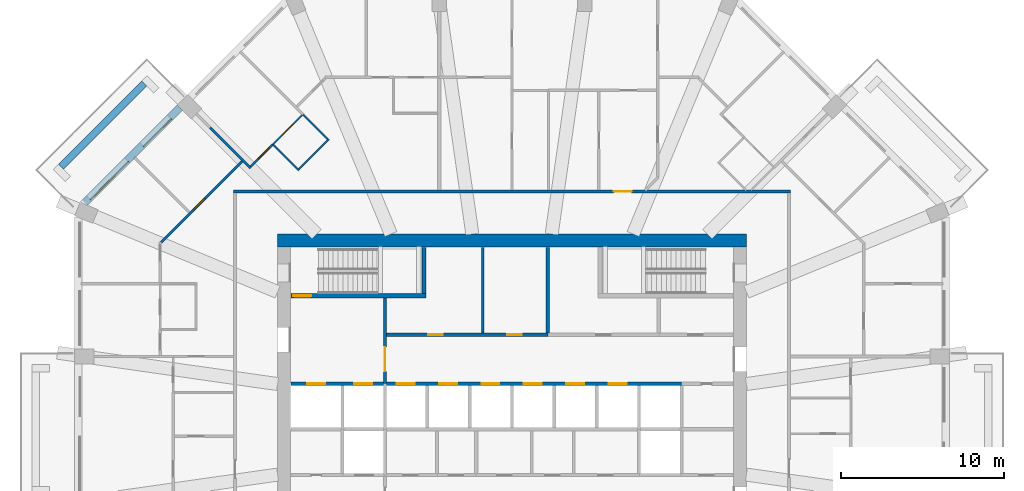
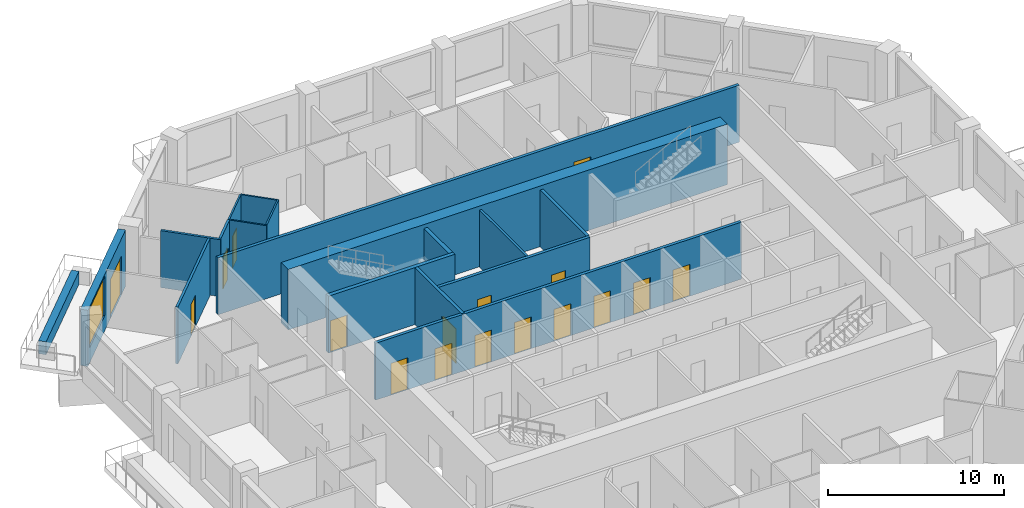
# One storey, part 8 of 13: 18 walls, 17 doors, 1 window, 18 openings.
"""IFC4 building model written with IfcOpenShell, lengths in metres."""

from ifc_helpers import new_model, si_unit, direction, frame, frame_2d, origin, place, context, subcontext, project, spatial, rectangle, extrude, material, layer, layer_set, type_object, element, fill, save


model = new_model("IFC4")

# Units and contexts
model_context = context("Model", 3, precision=1e-05, world=origin(), true_north=direction((0.0, 1.0)))
body_context = subcontext(model_context, "Body", "Model", "MODEL_VIEW")
ifc_project = project(units=[si_unit("LENGTHUNIT", "METRE"), si_unit("AREAUNIT", "SQUARE_METRE"), si_unit("VOLUMEUNIT", "CUBIC_METRE"), si_unit("PLANEANGLEUNIT", "RADIAN"), si_unit("MASSUNIT", "GRAM", prefix="KILO")], contexts=[model_context])

# Site, building, storey
site_placement = place(None, origin())
site = spatial("IfcSite", under=ifc_project, at=site_placement, CompositionType="ELEMENT")
building_placement = place(site_placement, origin())
building = spatial("IfcBuilding", under=site, at=building_placement, Name="Msitu Wima Residences", CompositionType="ELEMENT")
storey_placement = place(building_placement, frame((0.0, 0.0, 106.5)))
storey = spatial("IfcBuildingStorey", under=building, at=storey_placement, Name="L24", CompositionType="ELEMENT", Elevation=106.5)

# Wall
ifc_material_1 = material(Name="Facing brick")
ifc_layer_1 = layer(ifc_material_1, 0.06494140625, Name="Facing brick")
ifc_material_2 = material(Name="Concrete C40/50", Category="concrete")
ifc_layer_2 = layer(ifc_material_2, 0.156005859375, Name="Concrete C40/50")
ifc_material_3 = material(Name="Waterproofing membrane")
ifc_layer_3 = layer(ifc_material_3, 0.00390625, Name="Waterproofing membrane")
ifc_material_4 = material(Name="Planting soil and planting")
ifc_layer_4 = layer(ifc_material_4, 0.22509765625, Name="Planting soil and planting")
ifc_layer_set_1 = layer_set([ifc_layer_1, ifc_layer_2, ifc_layer_3, ifc_layer_4], Name="Concrete C40/50")
wall_type_1 = type_object("IfcWallType", Name="Balcony planter PLANTER PL450", PredefinedType="USERDEFINED", material=ifc_layer_set_1)
wall_1_placement = place(storey_placement, frame((-22.572265625, 21.228759765625, 0.0), z_axis=(0.0, 0.0, 1.0), x_axis=(-0.707106781187, -0.707106781187, 0.0)))
element("IfcWall", 1, at=wall_1_placement, inside=storey, type_object=wall_type_1, Name="Balcony planter NW1 L24", ObjectType="PLANTER", PredefinedType="USERDEFINED", context=body_context, shape_type="SweptSolid", body=[
    extrude(rectangle(XDim=7.23828125, YDim=0.449951171875, at=frame_2d((3.619140625, 0.0))), origin(), (0.0, 0.0, 1.0), 0.89990234375),
])

# Wall, openings, door, window
ifc_material_5 = material(Name="Brick (red buff mix)", Category="masonry")
ifc_layer_5 = layer(ifc_material_5, 0.449951171875)
ifc_layer_set_2 = layer_set([ifc_layer_5], Name="Brick (red buff mix)")
wall_type_2 = type_object("IfcWallType", Name="Brick infill wall BW450", PredefinedType="SOLIDWALL", material=ifc_layer_set_2)
wall_2_placement = place(storey_placement, frame((-20.380126953125, 19.743896484375, 0.0), z_axis=(0.0, 0.0, 1.0), x_axis=(-0.707106781187, -0.707106781187, 0.0)))
wall_2 = element("IfcWall", 2, at=wall_2_placement, inside=storey, type_object=wall_type_2, Name="Brick infill wall L24 NW1", PredefinedType="SOLIDWALL", context=body_context, shape_type="SweptSolid", body=[
    extrude(rectangle(XDim=8.251220703125, YDim=0.449951171875, at=frame_2d((4.12548828125, 0.0))), origin(), (0.0, 0.0, 1.0), 3.89990234375),
])
opening_1_placement = place(wall_2_placement, frame((0.86279296875, 0.0, 0.0)))
opening_1 = element("IfcOpeningElement", 3, at=opening_1_placement, cuts=wall_2, Name="Opening D24.005", PredefinedType="OPENING", context=body_context, shape_type="SweptSolid", body=[
    extrude(rectangle(XDim=2.39990234375, YDim=2.699951171875, at=frame_2d((1.199951171875, 1.35009765625))), frame((0.0, 0.23486328125, 0.0), z_axis=(0.0, -1.0, 0.0), x_axis=(1.0, 0.0, 0.0)), (0.0, 0.0, 1.0), 0.469970703125),
])
opening_2_placement = place(wall_2_placement, frame((4.57568359375, 0.0, 1.050048828125)))
opening_2 = element("IfcOpeningElement", 4, at=opening_2_placement, cuts=wall_2, Name="Opening W24.015", PredefinedType="OPENING", context=body_context, shape_type="SweptSolid", body=[
    extrude(rectangle(XDim=3.300048828125, YDim=2.699951171875, at=frame_2d((1.64990234375, 1.35009765625))), frame((0.0, 0.23486328125, 0.0), z_axis=(0.0, -1.0, 0.0), x_axis=(1.0, 0.0, 0.0)), (0.0, 0.0, 1.0), 0.469970703125),
])
ifc_material_6 = material(Name="Anodised aluminium, bronze finish, clear low-emissivity double glazing", Category="aluminium")
door_type_1 = type_object("IfcDoorType", Name="Balcony door D2400x2700", OperationType="SLIDING_TO_LEFT", PredefinedType="DOOR", material=ifc_material_6)
door_1_placement = place(opening_1_placement, origin())
door_1 = element("IfcDoor", 5, at=door_1_placement, inside=storey, type_object=door_type_1, Name="Balcony door L24 NW1", OperationType="SINGLE_SWING_LEFT", OverallHeight=2.699951171875, OverallWidth=2.39990234375, PredefinedType="DOOR", context=body_context, shape_type="SweptSolid", body=[
    extrude(rectangle(XDim=2.39990234375, YDim=2.699951171875, at=frame_2d((1.199951171875, 1.35009765625))), frame((0.0, 0.1298828125, 0.0), z_axis=(0.0, -1.0, 0.0), x_axis=(1.0, 0.0, 0.0)), (0.0, 0.0, 1.0), 0.050048828125),
])
fill(opening_1, door_1)
window_type = type_object("IfcWindowType", Name="Window W3300x2700", PartitioningType="DOUBLE_PANEL_VERTICAL", PredefinedType="WINDOW", material=ifc_material_6)
window_placement = place(opening_2_placement, origin())
window = element("IfcWindow", 6, at=window_placement, inside=storey, type_object=window_type, Name="Window L24 NW1.2", OverallHeight=2.699951171875, OverallWidth=3.300048828125, PartitioningType="SINGLE_PANEL", PredefinedType="WINDOW", context=body_context, shape_type="SweptSolid", body=[
    extrude(rectangle(XDim=3.300048828125, YDim=2.699951171875, at=frame_2d((1.64990234375, 1.35009765625))), frame((0.0, 0.135009765625, 0.0), z_axis=(0.0, -1.0, 0.0), x_axis=(1.0, 0.0, 0.0)), (0.0, 0.0, 1.0), 0.06005859375),
])
fill(opening_2, window)

# Wall
ifc_material_7 = material(Name="Concrete C70/85", Category="concrete")
ifc_layer_6 = layer(ifc_material_7, 0.800048828125)
ifc_layer_set_3 = layer_set([ifc_layer_6], Name="Concrete C70/85")
wall_type_3 = type_object("IfcWallType", Name="Core wall CW800 C70/85", PredefinedType="SHEAR", material=ifc_layer_set_3)
wall_3_placement = place(storey_placement, frame((-14.39990234375, 11.60009765625, 0.0), z_axis=(0.0, 0.0, 1.0), x_axis=(1.0, 0.0, 0.0)))
element("IfcWall", 7, at=wall_3_placement, inside=storey, type_object=wall_type_3, Name="Core wall", PredefinedType="SHEAR", context=body_context, shape_type="SweptSolid", body=[
    extrude(rectangle(XDim=28.7998046875, YDim=0.800048828125, at=frame_2d((14.39990234375, 0.0))), origin(), (0.0, 0.0, 1.0), 4.199951171875),
])

# Wall, opening, door
ifc_material_8 = material(Name="Plaster")
ifc_layer_7 = layer(ifc_material_8, 0.011962890625, Name="Plaster")
ifc_material_9 = material(Name="Concrete blockwork", Category="masonry")
ifc_layer_8 = layer(ifc_material_9, 0.176025390625, Name="Concrete blockwork")
ifc_layer_9 = layer(ifc_material_8, 0.011962890625, Name="Plaster")
ifc_layer_set_4 = layer_set([ifc_layer_7, ifc_layer_8, ifc_layer_9], Name="Concrete blockwork")
wall_type_4 = type_object("IfcWallType", Name="Corridor wall FW200", PredefinedType="PARTITIONING", material=ifc_layer_set_4)
wall_4_placement = place(storey_placement, frame((-17.10009765625, 14.60009765625, 0.0), z_axis=(0.0, 0.0, 1.0), x_axis=(1.0, 0.0, 0.0)))
wall_4 = element("IfcWall", 8, at=wall_4_placement, inside=storey, type_object=wall_type_4, Name="Corridor wall", PredefinedType="PARTITIONING", context=body_context, shape_type="SweptSolid", body=[
    extrude(rectangle(XDim=34.2001953125, YDim=0.199951171875, at=frame_2d((17.10009765625, 0.0))), origin(), (0.0, 0.0, 1.0), 3.949951171875),
])
opening_3_placement = place(wall_4_placement, frame((23.35009765625, 0.0, 0.0)))
opening_3 = element("IfcOpeningElement", 9, at=opening_3_placement, cuts=wall_4, Name="Opening D24.011", PredefinedType="OPENING", context=body_context, shape_type="SweptSolid", body=[
    extrude(rectangle(XDim=1.10009765625, YDim=2.39990234375, at=frame_2d((0.550048828125, 1.199951171875))), frame((0.0, 0.10986328125, 0.0), z_axis=(0.0, -1.0, 0.0), x_axis=(1.0, 0.0, 0.0)), (0.0, 0.0, 1.0), 0.219970703125),
])
ifc_material_10 = material(Name="Timber flush door, fire resisting, self-closing", Category="wood")
door_type_2 = type_object("IfcDoorType", Name="Flat entrance door D01 1100x2400", OperationType="SINGLE_SWING_LEFT", PredefinedType="DOOR", material=ifc_material_10)
door_2_placement = place(opening_3_placement, origin())
door_2 = element("IfcDoor", 10, at=door_2_placement, inside=storey, type_object=door_type_2, Name="Flat entrance door", OperationType="SINGLE_SWING_LEFT", OverallHeight=2.39990234375, OverallWidth=1.10009765625, PredefinedType="DOOR", context=body_context, shape_type="SweptSolid", body=[
    extrude(rectangle(XDim=1.10009765625, YDim=2.39990234375, at=frame_2d((0.550048828125, 1.199951171875))), frame((0.0, 0.02490234375, 0.0), z_axis=(0.0, -1.0, 0.0), x_axis=(1.0, 0.0, 0.0)), (0.0, 0.0, 1.0), 0.050048828125),
])
fill(opening_3, door_2)

wall_5_placement = place(storey_placement, frame((-7.800048828125, 2.800048828125, 0.0), z_axis=(0.0, 0.0, 1.0), x_axis=(0.0, 1.0, 0.0)))
wall_5 = element("IfcWall", 11, at=wall_5_placement, inside=storey, type_object=wall_type_4, Name="Corridor wall", PredefinedType="PARTITIONING", context=body_context, shape_type="SweptSolid", body=[
    extrude(rectangle(XDim=5.27490234375, YDim=0.199951171875, at=frame_2d((2.637451171875, 0.0))), origin(), (0.0, 0.0, 1.0), 3.949951171875),
])
opening_4_placement = place(wall_5_placement, frame((0.75, 0.0, 0.0)))
opening_4 = element("IfcOpeningElement", 12, at=opening_4_placement, cuts=wall_5, Name="Opening D24.017", PredefinedType="OPENING", context=body_context, shape_type="SweptSolid", body=[
    extrude(rectangle(XDim=1.5, YDim=2.39990234375, at=frame_2d((0.75, 1.199951171875))), frame((0.0, 0.10986328125, 0.0), z_axis=(0.0, -1.0, 0.0), x_axis=(1.0, 0.0, 0.0)), (0.0, 0.0, 1.0), 0.219970703125),
])
ifc_material_11 = material(Name="Steel framed glazed door, fire resisting", Category="steel")
door_type_3 = type_object("IfcDoorType", Name="Lobby door D07 1500x2400", OperationType="DOUBLE_DOOR_SINGLE_SWING", PredefinedType="DOOR", material=ifc_material_11)
door_3_placement = place(opening_4_placement, origin())
door_3 = element("IfcDoor", 13, at=door_3_placement, inside=storey, type_object=door_type_3, Name="Lobby door", OperationType="DOUBLE_DOOR_SINGLE_SWING", OverallHeight=2.39990234375, OverallWidth=1.5, PredefinedType="DOOR", context=body_context, shape_type="SweptSolid", body=[
    extrude(rectangle(XDim=1.5, YDim=2.39990234375, at=frame_2d((0.75, 1.199951171875))), frame((0.0, 0.02490234375, 0.0), z_axis=(0.0, -1.0, 0.0), x_axis=(1.0, 0.0, 0.0)), (0.0, 0.0, 1.0), 0.050048828125),
])
fill(opening_4, door_3)

# Wall, openings, doors
wall_6_placement = place(storey_placement, frame((-7.699951171875, 5.800048828125, 0.0), z_axis=(0.0, 0.0, 1.0), x_axis=(1.0, 0.0, 0.0)))
wall_6 = element("IfcWall", 14, at=wall_6_placement, inside=storey, type_object=wall_type_4, Name="Corridor wall", PredefinedType="PARTITIONING", context=body_context, shape_type="SweptSolid", body=[
    extrude(rectangle(XDim=9.919921875, YDim=0.199951171875, at=frame_2d((4.9599609375, 0.0))), origin(), (0.0, 0.0, 1.0), 3.949951171875),
])
opening_5_placement = place(wall_6_placement, frame((2.550048828125, 0.0, 0.0)))
opening_5 = element("IfcOpeningElement", 15, at=opening_5_placement, cuts=wall_6, Name="Opening D24.020", PredefinedType="OPENING", context=body_context, shape_type="SweptSolid", body=[
    extrude(rectangle(XDim=0.89990234375, YDim=2.199951171875, at=frame_2d((0.449951171875, 1.10009765625))), frame((0.0, 0.10986328125, 0.0), z_axis=(0.0, -1.0, 0.0), x_axis=(1.0, 0.0, 0.0)), (0.0, 0.0, 1.0), 0.219970703125),
])
opening_6_placement = place(wall_6_placement, frame((7.39990234375, 0.0, 0.0)))
opening_6 = element("IfcOpeningElement", 16, at=opening_6_placement, cuts=wall_6, Name="Opening D24.021", PredefinedType="OPENING", context=body_context, shape_type="SweptSolid", body=[
    extrude(rectangle(XDim=0.89990234375, YDim=2.199951171875, at=frame_2d((0.449951171875, 1.10009765625))), frame((0.0, 0.10986328125, 0.0), z_axis=(0.0, -1.0, 0.0), x_axis=(1.0, 0.0, 0.0)), (0.0, 0.0, 1.0), 0.219970703125),
])
ifc_material_12 = material(Name="Timber flush door", Category="wood")
door_type_4 = type_object("IfcDoorType", Name="Service door D05 900x2200", OperationType="SINGLE_SWING_LEFT", PredefinedType="DOOR", material=ifc_material_12)
door_4_placement = place(opening_5_placement, origin())
door_4 = element("IfcDoor", 17, at=door_4_placement, inside=storey, type_object=door_type_4, Name="Service door", OperationType="SINGLE_SWING_RIGHT", OverallHeight=2.199951171875, OverallWidth=0.89990234375, PredefinedType="DOOR", context=body_context, shape_type="SweptSolid", body=[
    extrude(rectangle(XDim=0.89990234375, YDim=2.199951171875, at=frame_2d((0.449951171875, 1.10009765625))), frame((0.0, 0.02490234375, 0.0), z_axis=(0.0, -1.0, 0.0), x_axis=(1.0, 0.0, 0.0)), (0.0, 0.0, 1.0), 0.050048828125),
])
fill(opening_5, door_4)
door_5_placement = place(opening_6_placement, origin())
door_5 = element("IfcDoor", 18, at=door_5_placement, inside=storey, type_object=door_type_4, Name="Service door", OperationType="SINGLE_SWING_LEFT", OverallHeight=2.199951171875, OverallWidth=0.89990234375, PredefinedType="DOOR", context=body_context, shape_type="SweptSolid", body=[
    extrude(rectangle(XDim=0.89990234375, YDim=2.199951171875, at=frame_2d((0.449951171875, 1.10009765625))), frame((0.0, 0.02490234375, 0.0), z_axis=(0.0, -1.0, 0.0), x_axis=(1.0, 0.0, 0.0)), (0.0, 0.0, 1.0), 0.050048828125),
])
fill(opening_6, door_5)

# Wall, opening, door
ifc_layer_10 = layer(ifc_material_8, 0.011962890625, Name="Plaster")
ifc_layer_11 = layer(ifc_material_9, 0.1259765625, Name="Concrete blockwork")
ifc_layer_12 = layer(ifc_material_8, 0.011962890625, Name="Plaster")
ifc_layer_set_5 = layer_set([ifc_layer_10, ifc_layer_11, ifc_layer_12], Name="Concrete blockwork")
wall_type_5 = type_object("IfcWallType", Name="Partition PW150", PredefinedType="PARTITIONING", material=ifc_layer_set_5)
wall_7_placement = place(storey_placement, frame((-21.546875, 11.470703125, 0.0), z_axis=(0.0, 0.0, 1.0), x_axis=(0.707106781187, 0.707106781187, 0.0)))
wall_7 = element("IfcWall", 19, at=wall_7_placement, inside=storey, type_object=wall_type_5, Name="Partition", PredefinedType="PARTITIONING", context=body_context, shape_type="SweptSolid", body=[
    extrude(rectangle(XDim=7.050048828125, YDim=0.14990234375, at=frame_2d((3.52490234375, 0.0))), origin(), (0.0, 0.0, 1.0), 3.949951171875),
])
opening_7_placement = place(wall_7_placement, frame((2.85009765625, 0.0, 0.0)))
opening_7 = element("IfcOpeningElement", 20, at=opening_7_placement, cuts=wall_7, Name="Opening D24.051", PredefinedType="OPENING", context=body_context, shape_type="SweptSolid", body=[
    extrude(rectangle(XDim=0.949951171875, YDim=2.199951171875, at=frame_2d((0.47509765625, 1.10009765625))), frame((0.0, 0.0849609375, 0.0), z_axis=(0.0, -1.0, 0.0), x_axis=(1.0, 0.0, 0.0)), (0.0, 0.0, 1.0), 0.169921875),
])
door_type_5 = type_object("IfcDoorType", Name="Room door D12 950x2200", OperationType="SINGLE_SWING_LEFT", PredefinedType="DOOR", material=ifc_material_12)
door_6_placement = place(opening_7_placement, origin())
door_6 = element("IfcDoor", 21, at=door_6_placement, inside=storey, type_object=door_type_5, Name="Room door", OperationType="SINGLE_SWING_LEFT", OverallHeight=2.199951171875, OverallWidth=0.949951171875, PredefinedType="DOOR", context=body_context, shape_type="SweptSolid", body=[
    extrude(rectangle(XDim=0.949951171875, YDim=2.199951171875, at=frame_2d((0.47509765625, 1.10009765625))), frame((0.0, 0.02490234375, 0.0), z_axis=(0.0, -1.0, 0.0), x_axis=(1.0, 0.0, 0.0)), (0.0, 0.0, 1.0), 0.050048828125),
])
fill(opening_7, door_6)

# Wall
wall_8_placement = place(storey_placement, frame((-18.517578125, 18.517578125, 0.0), z_axis=(0.0, 0.0, 1.0), x_axis=(0.707106781187, -0.707106781187, 0.0)))
element("IfcWall", 22, at=wall_8_placement, inside=storey, type_object=wall_type_5, Name="Partition", PredefinedType="PARTITIONING", context=body_context, shape_type="SweptSolid", body=[
    extrude(rectangle(XDim=3.515869140625, YDim=0.14990234375, at=frame_2d((1.7578125, 0.0))), origin(), (0.0, 0.0, 1.0), 3.949951171875),
])

# Wall, opening, door
wall_9_placement = place(storey_placement, frame((-16.031494140625, 16.1376953125, 0.0), z_axis=(0.0, 0.0, 1.0), x_axis=(0.707106781187, 0.707106781187, 0.0)))
wall_9 = element("IfcWall", 23, at=wall_9_placement, inside=storey, type_object=wall_type_5, Name="Partition", PredefinedType="PARTITIONING", context=body_context, shape_type="SweptSolid", body=[
    extrude(rectangle(XDim=1.89892578125, YDim=0.14990234375, at=frame_2d((0.949462890625, 0.0))), origin(), (0.0, 0.0, 1.0), 3.949951171875),
])
opening_8_placement = place(wall_9_placement, frame((0.64990234375, 0.0, 0.0)))
opening_8 = element("IfcOpeningElement", 24, at=opening_8_placement, cuts=wall_9, Name="Opening D24.057", PredefinedType="OPENING", context=body_context, shape_type="SweptSolid", body=[
    extrude(rectangle(XDim=0.949951171875, YDim=2.199951171875, at=frame_2d((0.47509765625, 1.10009765625))), frame((0.0, 0.0849609375, 0.0), z_axis=(0.0, -1.0, 0.0), x_axis=(1.0, 0.0, 0.0)), (0.0, 0.0, 1.0), 0.169921875),
])
door_7_placement = place(opening_8_placement, origin())
door_7 = element("IfcDoor", 25, at=door_7_placement, inside=storey, type_object=door_type_5, Name="Room door", OperationType="SINGLE_SWING_LEFT", OverallHeight=2.199951171875, OverallWidth=0.949951171875, PredefinedType="DOOR", context=body_context, shape_type="SweptSolid", body=[
    extrude(rectangle(XDim=0.949951171875, YDim=2.199951171875, at=frame_2d((0.47509765625, 1.10009765625))), frame((0.0, 0.02490234375, 0.0), z_axis=(0.0, -1.0, 0.0), x_axis=(1.0, 0.0, 0.0)), (0.0, 0.0, 1.0), 0.050048828125),
])
fill(opening_8, door_7)

# Walls
wall_10_placement = place(storey_placement, frame((-1.800048828125, 5.89990234375, 0.0), z_axis=(0.0, 0.0, 1.0), x_axis=(0.0, 1.0, 0.0)))
element("IfcWall", 26, at=wall_10_placement, inside=storey, type_object=wall_type_5, Name="Partition", PredefinedType="PARTITIONING", context=body_context, shape_type="SweptSolid", body=[
    extrude(rectangle(XDim=5.27001953125, YDim=0.14990234375, at=frame_2d((2.635009765625, 0.0))), origin(), (0.0, 0.0, 1.0), 3.949951171875),
])
ifc_layer_13 = layer(ifc_material_8, 0.011962890625, Name="Plaster")
ifc_material_13 = material(Name="Reinforced concrete blockwork", Category="masonry")
ifc_layer_14 = layer(ifc_material_13, 0.176025390625, Name="Reinforced concrete blockwork")
ifc_layer_15 = layer(ifc_material_8, 0.011962890625, Name="Plaster")
ifc_layer_set_6 = layer_set([ifc_layer_13, ifc_layer_14, ifc_layer_15], Name="Reinforced concrete blockwork")
wall_type_6 = type_object("IfcWallType", Name="Plant and riser wall PL200", PredefinedType="PARTITIONING", material=ifc_layer_set_6)
wall_11_placement = place(storey_placement, frame((2.199951171875, 5.89990234375, 0.0), z_axis=(0.0, 0.0, 1.0), x_axis=(0.0, 1.0, 0.0)))
element("IfcWall", 27, at=wall_11_placement, inside=storey, type_object=wall_type_6, Name="Plant and riser wall", PredefinedType="PARTITIONING", context=body_context, shape_type="SweptSolid", body=[
    extrude(rectangle(XDim=5.27001953125, YDim=0.199951171875, at=frame_2d((2.635009765625, 0.0))), origin(), (0.0, 0.0, 1.0), 3.949951171875),
])

# Wall, openings, doors
ifc_material_14 = material(Name="Fire-rated board")
ifc_layer_16 = layer(ifc_material_14, 0.02490234375, Name="Fire-rated board")
ifc_material_15 = material(Name="Light-gauge stud framing with mineral wool")
ifc_layer_17 = layer(ifc_material_15, 0.14990234375, Name="Light-gauge stud framing with mineral wool")
ifc_layer_18 = layer(ifc_material_14, 0.02490234375, Name="Fire-rated board")
ifc_layer_set_7 = layer_set([ifc_layer_16, ifc_layer_17, ifc_layer_18], Name="Light-gauge stud framing with mineral wool")
wall_type_7 = type_object("IfcWallType", Name="Shaft wall SH200", PredefinedType="PARTITIONING", material=ifc_layer_set_7)
wall_12_placement = place(storey_placement, frame((-13.570068359375, 2.800048828125, 0.0), z_axis=(0.0, 0.0, 1.0), x_axis=(1.0, 0.0, 0.0)))
wall_12 = element("IfcWall", 28, at=wall_12_placement, inside=storey, type_object=wall_type_7, Name="Shaft wall", PredefinedType="PARTITIONING", context=body_context, shape_type="SweptSolid", body=[
    extrude(rectangle(XDim=23.969970703125, YDim=0.199951171875, at=frame_2d((11.98486328125, 0.0))), origin(), (0.0, 0.0, 1.0), 3.949951171875),
])
opening_9_placement = place(wall_12_placement, frame((1.0, 0.0, 0.0)))
opening_9 = element("IfcOpeningElement", 29, at=opening_9_placement, cuts=wall_12, Name="Opening LD", PredefinedType="OPENING", context=body_context, shape_type="SweptSolid", body=[
    extrude(rectangle(XDim=1.10009765625, YDim=2.199951171875, at=frame_2d((0.550048828125, 1.10009765625))), frame((0.0, 0.10986328125, 0.0), z_axis=(0.0, -1.0, 0.0), x_axis=(1.0, 0.0, 0.0)), (0.0, 0.0, 1.0), 0.219970703125),
])
opening_10_placement = place(wall_12_placement, frame((3.89990234375, 0.0, 0.0)))
opening_10 = element("IfcOpeningElement", 30, at=opening_10_placement, cuts=wall_12, Name="Opening LD", PredefinedType="OPENING", context=body_context, shape_type="SweptSolid", body=[
    extrude(rectangle(XDim=1.10009765625, YDim=2.199951171875, at=frame_2d((0.550048828125, 1.10009765625))), frame((0.0, 0.10986328125, 0.0), z_axis=(0.0, -1.0, 0.0), x_axis=(1.0, 0.0, 0.0)), (0.0, 0.0, 1.0), 0.219970703125),
])
opening_11_placement = place(wall_12_placement, frame((6.5, 0.0, 0.0)))
opening_11 = element("IfcOpeningElement", 31, at=opening_11_placement, cuts=wall_12, Name="Opening LD", PredefinedType="OPENING", context=body_context, shape_type="SweptSolid", body=[
    extrude(rectangle(XDim=1.10009765625, YDim=2.199951171875, at=frame_2d((0.550048828125, 1.10009765625))), frame((0.0, 0.10986328125, 0.0), z_axis=(0.0, -1.0, 0.0), x_axis=(1.0, 0.0, 0.0)), (0.0, 0.0, 1.0), 0.219970703125),
])
opening_12_placement = place(wall_12_placement, frame((9.10009765625, 0.0, 0.0)))
opening_12 = element("IfcOpeningElement", 32, at=opening_12_placement, cuts=wall_12, Name="Opening LD", PredefinedType="OPENING", context=body_context, shape_type="SweptSolid", body=[
    extrude(rectangle(XDim=1.10009765625, YDim=2.199951171875, at=frame_2d((0.550048828125, 1.10009765625))), frame((0.0, 0.10986328125, 0.0), z_axis=(0.0, -1.0, 0.0), x_axis=(1.0, 0.0, 0.0)), (0.0, 0.0, 1.0), 0.219970703125),
])
opening_13_placement = place(wall_12_placement, frame((11.699951171875, 0.0, 0.0)))
opening_13 = element("IfcOpeningElement", 33, at=opening_13_placement, cuts=wall_12, Name="Opening LD", PredefinedType="OPENING", context=body_context, shape_type="SweptSolid", body=[
    extrude(rectangle(XDim=1.10009765625, YDim=2.199951171875, at=frame_2d((0.550048828125, 1.10009765625))), frame((0.0, 0.10986328125, 0.0), z_axis=(0.0, -1.0, 0.0), x_axis=(1.0, 0.0, 0.0)), (0.0, 0.0, 1.0), 0.219970703125),
])
opening_14_placement = place(wall_12_placement, frame((14.300048828125, 0.0, 0.0)))
opening_14 = element("IfcOpeningElement", 34, at=opening_14_placement, cuts=wall_12, Name="Opening LD", PredefinedType="OPENING", context=body_context, shape_type="SweptSolid", body=[
    extrude(rectangle(XDim=1.10009765625, YDim=2.199951171875, at=frame_2d((0.550048828125, 1.10009765625))), frame((0.0, 0.10986328125, 0.0), z_axis=(0.0, -1.0, 0.0), x_axis=(1.0, 0.0, 0.0)), (0.0, 0.0, 1.0), 0.219970703125),
])
opening_15_placement = place(wall_12_placement, frame((16.89990234375, 0.0, 0.0)))
opening_15 = element("IfcOpeningElement", 35, at=opening_15_placement, cuts=wall_12, Name="Opening LD", PredefinedType="OPENING", context=body_context, shape_type="SweptSolid", body=[
    extrude(rectangle(XDim=1.10009765625, YDim=2.199951171875, at=frame_2d((0.550048828125, 1.10009765625))), frame((0.0, 0.10986328125, 0.0), z_axis=(0.0, -1.0, 0.0), x_axis=(1.0, 0.0, 0.0)), (0.0, 0.0, 1.0), 0.219970703125),
])
opening_16_placement = place(wall_12_placement, frame((19.5, 0.0, 0.0)))
opening_16 = element("IfcOpeningElement", 36, at=opening_16_placement, cuts=wall_12, Name="Opening LD", PredefinedType="OPENING", context=body_context, shape_type="SweptSolid", body=[
    extrude(rectangle(XDim=1.10009765625, YDim=2.199951171875, at=frame_2d((0.550048828125, 1.10009765625))), frame((0.0, 0.10986328125, 0.0), z_axis=(0.0, -1.0, 0.0), x_axis=(1.0, 0.0, 0.0)), (0.0, 0.0, 1.0), 0.219970703125),
])
ifc_material_16 = material(Name="Stainless steel centre-opening landing door, rated", Category="steel")
door_type_6 = type_object("IfcDoorType", Name="Lift landing door LD 1100x2200", OperationType="DOUBLE_DOOR_SLIDING", PredefinedType="DOOR", material=ifc_material_16)
door_8_placement = place(opening_9_placement, origin())
door_8 = element("IfcDoor", 37, at=door_8_placement, inside=storey, type_object=door_type_6, Name="Lift landing door LD1", OperationType="DOUBLE_DOOR_SLIDING", OverallHeight=2.199951171875, OverallWidth=1.10009765625, PredefinedType="DOOR", context=body_context, shape_type="SweptSolid", body=[
    extrude(rectangle(XDim=1.10009765625, YDim=2.199951171875, at=frame_2d((0.550048828125, 1.10009765625))), frame((0.0, 0.02490234375, 0.0), z_axis=(0.0, -1.0, 0.0), x_axis=(1.0, 0.0, 0.0)), (0.0, 0.0, 1.0), 0.050048828125),
])
fill(opening_9, door_8)
door_9_placement = place(opening_10_placement, origin())
door_9 = element("IfcDoor", 38, at=door_9_placement, inside=storey, type_object=door_type_6, Name="Lift landing door LD2", OperationType="DOUBLE_DOOR_SLIDING", OverallHeight=2.199951171875, OverallWidth=1.10009765625, PredefinedType="DOOR", context=body_context, shape_type="SweptSolid", body=[
    extrude(rectangle(XDim=1.10009765625, YDim=2.199951171875, at=frame_2d((0.550048828125, 1.10009765625))), frame((0.0, 0.02490234375, 0.0), z_axis=(0.0, -1.0, 0.0), x_axis=(1.0, 0.0, 0.0)), (0.0, 0.0, 1.0), 0.050048828125),
])
fill(opening_10, door_9)
door_10_placement = place(opening_11_placement, origin())
door_10 = element("IfcDoor", 39, at=door_10_placement, inside=storey, type_object=door_type_6, Name="Lift landing door LD4", OperationType="DOUBLE_DOOR_SLIDING", OverallHeight=2.199951171875, OverallWidth=1.10009765625, PredefinedType="DOOR", context=body_context, shape_type="SweptSolid", body=[
    extrude(rectangle(XDim=1.10009765625, YDim=2.199951171875, at=frame_2d((0.550048828125, 1.10009765625))), frame((0.0, 0.02490234375, 0.0), z_axis=(0.0, -1.0, 0.0), x_axis=(1.0, 0.0, 0.0)), (0.0, 0.0, 1.0), 0.050048828125),
])
fill(opening_11, door_10)
door_11_placement = place(opening_12_placement, origin())
door_11 = element("IfcDoor", 40, at=door_11_placement, inside=storey, type_object=door_type_6, Name="Lift landing door LD6", OperationType="DOUBLE_DOOR_SLIDING", OverallHeight=2.199951171875, OverallWidth=1.10009765625, PredefinedType="DOOR", context=body_context, shape_type="SweptSolid", body=[
    extrude(rectangle(XDim=1.10009765625, YDim=2.199951171875, at=frame_2d((0.550048828125, 1.10009765625))), frame((0.0, 0.02490234375, 0.0), z_axis=(0.0, -1.0, 0.0), x_axis=(1.0, 0.0, 0.0)), (0.0, 0.0, 1.0), 0.050048828125),
])
fill(opening_12, door_11)
door_12_placement = place(opening_13_placement, origin())
door_12 = element("IfcDoor", 41, at=door_12_placement, inside=storey, type_object=door_type_6, Name="Lift landing door LD8", OperationType="DOUBLE_DOOR_SLIDING", OverallHeight=2.199951171875, OverallWidth=1.10009765625, PredefinedType="DOOR", context=body_context, shape_type="SweptSolid", body=[
    extrude(rectangle(XDim=1.10009765625, YDim=2.199951171875, at=frame_2d((0.550048828125, 1.10009765625))), frame((0.0, 0.02490234375, 0.0), z_axis=(0.0, -1.0, 0.0), x_axis=(1.0, 0.0, 0.0)), (0.0, 0.0, 1.0), 0.050048828125),
])
fill(opening_13, door_12)
door_13_placement = place(opening_14_placement, origin())
door_13 = element("IfcDoor", 42, at=door_13_placement, inside=storey, type_object=door_type_6, Name="Lift landing door LD10", OperationType="DOUBLE_DOOR_SLIDING", OverallHeight=2.199951171875, OverallWidth=1.10009765625, PredefinedType="DOOR", context=body_context, shape_type="SweptSolid", body=[
    extrude(rectangle(XDim=1.10009765625, YDim=2.199951171875, at=frame_2d((0.550048828125, 1.10009765625))), frame((0.0, 0.02490234375, 0.0), z_axis=(0.0, -1.0, 0.0), x_axis=(1.0, 0.0, 0.0)), (0.0, 0.0, 1.0), 0.050048828125),
])
fill(opening_14, door_13)
door_14_placement = place(opening_15_placement, origin())
door_14 = element("IfcDoor", 43, at=door_14_placement, inside=storey, type_object=door_type_6, Name="Lift landing door LD12", OperationType="DOUBLE_DOOR_SLIDING", OverallHeight=2.199951171875, OverallWidth=1.10009765625, PredefinedType="DOOR", context=body_context, shape_type="SweptSolid", body=[
    extrude(rectangle(XDim=1.10009765625, YDim=2.199951171875, at=frame_2d((0.550048828125, 1.10009765625))), frame((0.0, 0.02490234375, 0.0), z_axis=(0.0, -1.0, 0.0), x_axis=(1.0, 0.0, 0.0)), (0.0, 0.0, 1.0), 0.050048828125),
])
fill(opening_15, door_14)
door_15_placement = place(opening_16_placement, origin())
door_15 = element("IfcDoor", 44, at=door_15_placement, inside=storey, type_object=door_type_6, Name="Lift landing door LD14", OperationType="DOUBLE_DOOR_SLIDING", OverallHeight=2.199951171875, OverallWidth=1.10009765625, PredefinedType="DOOR", context=body_context, shape_type="SweptSolid", body=[
    extrude(rectangle(XDim=1.10009765625, YDim=2.199951171875, at=frame_2d((0.550048828125, 1.10009765625))), frame((0.0, 0.02490234375, 0.0), z_axis=(0.0, -1.0, 0.0), x_axis=(1.0, 0.0, 0.0)), (0.0, 0.0, 1.0), 0.050048828125),
])
fill(opening_16, door_15)

# Wall, opening, door
ifc_material_17 = material(Name="Concrete C50/60", Category="concrete")
ifc_layer_19 = layer(ifc_material_17, 0.25)
ifc_layer_set_8 = layer_set([ifc_layer_19], Name="Concrete C50/60")
wall_type_8 = type_object("IfcWallType", Name="Stair enclosure wall SW250", PredefinedType="SHEAR", material=ifc_layer_set_8)
wall_13_placement = place(storey_placement, frame((-13.570068359375, 8.199951171875, 0.0), z_axis=(0.0, 0.0, 1.0), x_axis=(1.0, 0.0, 0.0)))
wall_13 = element("IfcWall", 45, at=wall_13_placement, inside=storey, type_object=wall_type_8, Name="Stair enclosure wall", PredefinedType="SHEAR", context=body_context, shape_type="SweptSolid", body=[
    extrude(rectangle(XDim=8.295166015625, YDim=0.25, at=frame_2d((4.1474609375, 0.0))), origin(), (0.0, 0.0, 1.0), 3.949951171875),
])
opening_17_placement = place(wall_13_placement, frame((0.14990234375, 0.0, 0.0)))
opening_17 = element("IfcOpeningElement", 46, at=opening_17_placement, cuts=wall_13, Name="Opening D24.037", PredefinedType="OPENING", context=body_context, shape_type="SweptSolid", body=[
    extrude(rectangle(XDim=1.10009765625, YDim=2.199951171875, at=frame_2d((0.550048828125, 1.10009765625))), frame((0.0, 0.135009765625, 0.0), z_axis=(0.0, -1.0, 0.0), x_axis=(1.0, 0.0, 0.0)), (0.0, 0.0, 1.0), 0.27001953125),
])
ifc_material_18 = material(Name="Steel door, fire resisting, panic bar", Category="steel")
door_type_7 = type_object("IfcDoorType", Name="Stair door D06 1100x2200", OperationType="SINGLE_SWING_LEFT", PredefinedType="DOOR", material=ifc_material_18)
door_16_placement = place(opening_17_placement, origin())
door_16 = element("IfcDoor", 47, at=door_16_placement, inside=storey, type_object=door_type_7, Name="Stair door", OperationType="SINGLE_SWING_LEFT", OverallHeight=2.199951171875, OverallWidth=1.10009765625, PredefinedType="DOOR", context=body_context, shape_type="SweptSolid", body=[
    extrude(rectangle(XDim=1.10009765625, YDim=2.199951171875, at=frame_2d((0.550048828125, 1.10009765625))), frame((0.0, 0.02490234375, 0.0), z_axis=(0.0, -1.0, 0.0), x_axis=(1.0, 0.0, 0.0)), (0.0, 0.0, 1.0), 0.050048828125),
])
fill(opening_17, door_16)

# Wall
wall_14_placement = place(storey_placement, frame((-5.39990234375, 8.324951171875, 0.0), z_axis=(0.0, 0.0, 1.0), x_axis=(0.0, 1.0, 0.0)))
element("IfcWall", 48, at=wall_14_placement, inside=storey, type_object=wall_type_8, Name="Stair enclosure wall", PredefinedType="SHEAR", context=body_context, shape_type="SweptSolid", body=[
    extrude(rectangle(XDim=2.844970703125, YDim=0.25, at=frame_2d((1.42236328125, 0.0))), origin(), (0.0, 0.0, 1.0), 3.949951171875),
])

# Wall, opening, door
ifc_material_19 = material(Name="Ceramic tiles")
ifc_layer_20 = layer(ifc_material_19, 0.008056640625, Name="Ceramic tiles")
ifc_material_20 = material(Name="Moisture-resistant board")
ifc_layer_21 = layer(ifc_material_20, 0.012451171875, Name="Moisture-resistant board")
ifc_layer_22 = layer(ifc_material_15, 0.06689453125, Name="Light-gauge stud framing with mineral wool")
ifc_layer_23 = layer(ifc_material_20, 0.012451171875, Name="Moisture-resistant board")
ifc_layer_set_9 = layer_set([ifc_layer_20, ifc_layer_21, ifc_layer_22, ifc_layer_23], Name="Light-gauge stud framing with mineral wool")
wall_type_9 = type_object("IfcWallType", Name="Wet wall PW100", PredefinedType="PARTITIONING", material=ifc_layer_set_9)
wall_15_placement = place(storey_placement, frame((-14.688720703125, 17.48046875, 0.0), z_axis=(0.0, 0.0, 1.0), x_axis=(0.707106781187, 0.707106781187, 0.0)))
wall_15 = element("IfcWall", 49, at=wall_15_placement, inside=storey, type_object=wall_type_9, Name="Wet wall", PredefinedType="PARTITIONING", context=body_context, shape_type="SweptSolid", body=[
    extrude(rectangle(XDim=2.570068359375, YDim=0.10009765625, at=frame_2d((1.28515625, 0.0))), origin(), (0.0, 0.0, 1.0), 3.949951171875),
])
opening_18_placement = place(wall_15_placement, frame((0.85009765625, 0.0, 0.0)))
opening_18 = element("IfcOpeningElement", 50, at=opening_18_placement, cuts=wall_15, Name="Opening D24.058", PredefinedType="OPENING", context=body_context, shape_type="SweptSolid", body=[
    extrude(rectangle(XDim=0.89990234375, YDim=2.199951171875, at=frame_2d((0.449951171875, 1.10009765625))), frame((0.0, 0.06005859375, 0.0), z_axis=(0.0, -1.0, 0.0), x_axis=(1.0, 0.0, 0.0)), (0.0, 0.0, 1.0), 0.1201171875),
])
ifc_material_21 = material(Name="Timber flush door, moisture resistant", Category="wood")
door_type_8 = type_object("IfcDoorType", Name="Bathroom door D03 900x2200", OperationType="SINGLE_SWING_LEFT", PredefinedType="DOOR", material=ifc_material_21)
door_17_placement = place(opening_18_placement, origin())
door_17 = element("IfcDoor", 51, at=door_17_placement, inside=storey, type_object=door_type_8, Name="Bathroom door", OperationType="SINGLE_SWING_RIGHT", OverallHeight=2.199951171875, OverallWidth=0.89990234375, PredefinedType="DOOR", context=body_context, shape_type="SweptSolid", body=[
    extrude(rectangle(XDim=0.89990234375, YDim=2.199951171875, at=frame_2d((0.449951171875, 1.10009765625))), frame((0.0, 0.02490234375, 0.0), z_axis=(0.0, -1.0, 0.0), x_axis=(1.0, 0.0, 0.0)), (0.0, 0.0, 1.0), 0.050048828125),
])
fill(opening_18, door_17)

# Walls
wall_16_placement = place(storey_placement, frame((-14.63916015625, 17.459228515625, 0.0), z_axis=(0.0, 0.0, 1.0), x_axis=(0.707106781187, -0.707106781187, 0.0)))
element("IfcWall", 52, at=wall_16_placement, inside=storey, type_object=wall_type_9, Name="Wet wall", PredefinedType="PARTITIONING", context=body_context, shape_type="SweptSolid", body=[
    extrude(rectangle(XDim=2.199951171875, YDim=0.10009765625, at=frame_2d((1.10009765625, 0.0))), origin(), (0.0, 0.0, 1.0), 3.949951171875),
])
wall_17_placement = place(storey_placement, frame((-13.08349609375, 15.974365234375, 0.0), z_axis=(0.0, 0.0, 1.0), x_axis=(0.707106781187, 0.707106781187, 0.0)))
element("IfcWall", 53, at=wall_17_placement, inside=storey, type_object=wall_type_9, Name="Wet wall", PredefinedType="PARTITIONING", context=body_context, shape_type="SweptSolid", body=[
    extrude(rectangle(XDim=2.599853515625, YDim=0.10009765625, at=frame_2d((1.2998046875, 0.0))), origin(), (0.0, 0.0, 1.0), 3.949951171875),
])
wall_18_placement = place(storey_placement, frame((-12.82177734375, 19.31884765625, 0.0), z_axis=(0.0, 0.0, 1.0), x_axis=(0.707106781187, -0.707106781187, 0.0)))
element("IfcWall", 54, at=wall_18_placement, inside=storey, type_object=wall_type_9, Name="Wet wall", PredefinedType="PARTITIONING", context=body_context, shape_type="SweptSolid", body=[
    extrude(rectangle(XDim=2.1298828125, YDim=0.10009765625, at=frame_2d((1.06494140625, 0.0))), origin(), (0.0, 0.0, 1.0), 3.949951171875),
])

save(model, "model.ifc")
